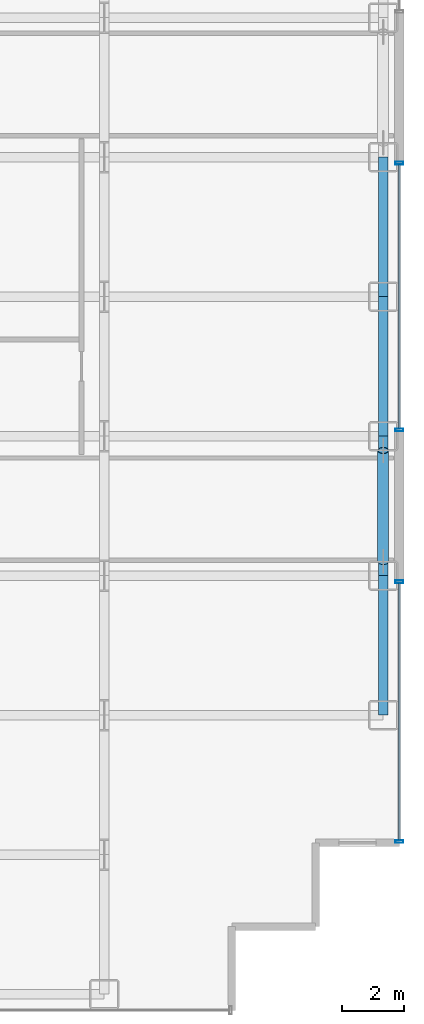
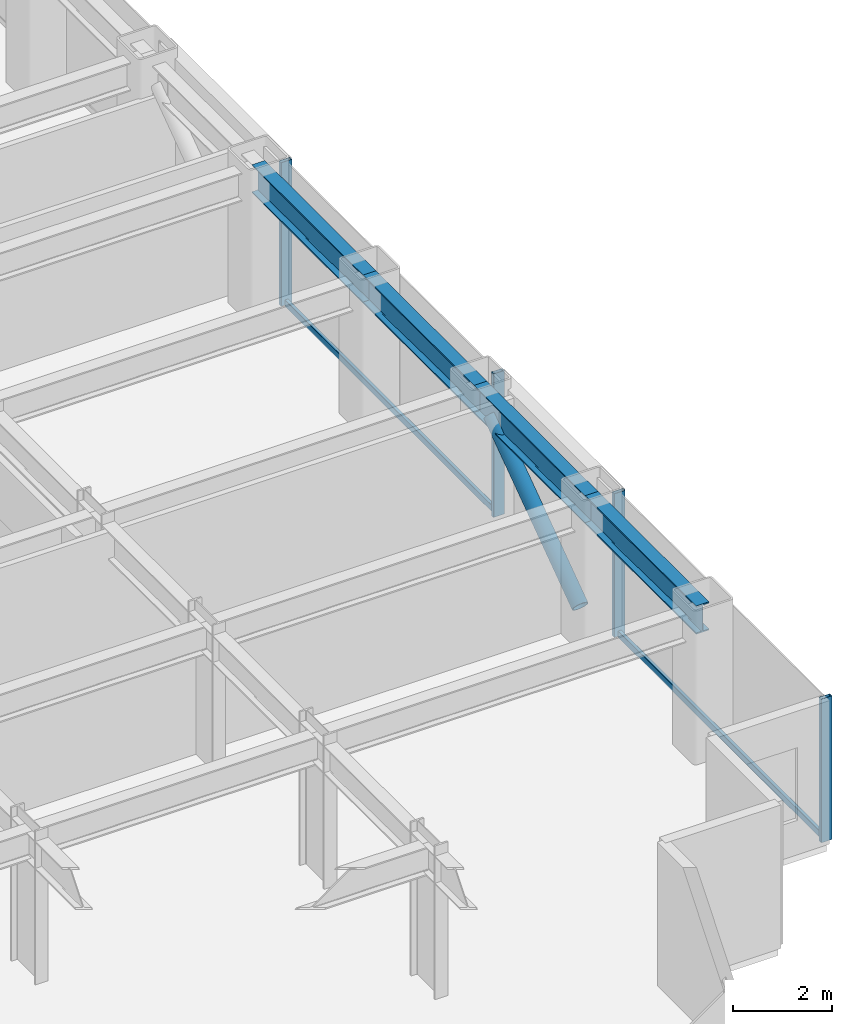
# One storey, part 18 of 29: 7 members, 4 beams, 2 elements without a shape of their own.
"""IFC4 building model written with IfcOpenShell, lengths in metres."""

from ifc_helpers import new_model, si_unit, direction, frame, origin, origin_2d, place, context, subcontext, project, spatial, hollow_rectangle, hollow_circle, i_section, extrude, source, transform, mapped, material, layer, layer_set, material_profile, profile_set, type_object, element, aggregate, save


model = new_model("IFC4")

# Units and contexts
model_context = context("Model", 3, precision=1e-05, world=origin(), true_north=direction((0.0, 1.0)))
body_context = subcontext(model_context, "Body", "Model", "MODEL_VIEW")
ifc_project = project(units=[si_unit("LENGTHUNIT", "METRE"), si_unit("AREAUNIT", "SQUARE_METRE"), si_unit("VOLUMEUNIT", "CUBIC_METRE"), si_unit("PLANEANGLEUNIT", "RADIAN"), si_unit("MASSUNIT", "GRAM", prefix="KILO")], contexts=[model_context])

# Site, building, storey
site_placement = place(None, origin())
site = spatial("IfcSite", under=ifc_project, at=site_placement, CompositionType="ELEMENT")
building_placement = place(site_placement, origin())
building = spatial("IfcBuilding", under=site, at=building_placement, Name="Nefas-Gora Pilgrimage Tower", CompositionType="ELEMENT")
storey_placement = place(building_placement, frame((0.0, 0.0, 55.800048828125)))
storey = spatial("IfcBuildingStorey", under=building, at=storey_placement, Name="L12", CompositionType="ELEMENT", Elevation=55.800048828125)

# Beams
ifc_material_1 = material(Name="Steel S355", Category="steel")
ifc_material_profile_1 = material_profile(ifc_material_1, i_section(OverallWidth=0.300048828125, OverallDepth=0.699951171875, WebThickness=0.01708984375, FlangeThickness=0.031982421875, FilletRadius=0.027099609375, at=origin_2d()), Name="HEB 700")
ifc_profile_set_1 = profile_set([ifc_material_profile_1], Name="Steel S355")
beam_type = type_object("IfcBeamType", Name="BM-SPN-HEB600", PredefinedType="SPANDREL", material=ifc_profile_set_1)
shared_shape_1 = source(origin(), body_context, "Body", "SweptSolid", [
    extrude(i_section(OverallWidth=0.300048828125, OverallDepth=0.699951171875, WebThickness=0.01708984375, FlangeThickness=0.031982421875, FilletRadius=0.027099609375, at=origin_2d()), origin(), (0.0, 0.0, 1.0), 4.5),
])
for number, where, z_axis, x_axis, name in (
    (1, (33.75, -13.5, 3.199951171875), (0.0, 1.0, 0.0), (-1.0, 0.0, 0.0), "L12 SP-01 beam"),
    (2, (33.75, -9.0, 3.199951171875), (0.0, 1.0, 0.0), (-1.0, 0.0, 0.0), "L12 SP-01 beam"),
    (3, (33.75, -4.5, 3.199951171875), (0.0, 1.0, 0.0), (-1.0, 0.0, 0.0), "L12 SP-01 beam"),
    (4, (33.75, 0.0, 3.199951171875), (0.0, 1.0, 0.0), (-1.0, 0.0, 0.0), "L12 SP-01 beam"),
):
    element("IfcBeam", number, at=place(storey_placement, frame(where, z_axis=z_axis, x_axis=x_axis)), inside=storey, type_object=beam_type, Name=name, PredefinedType="SPANDREL", context=body_context, shape_type="MappedRepresentation", body=[
        mapped(shared_shape_1, transform((0.0, 0.0, 0.0), x_axis=(1.0, 0.0, 0.0), y_axis=(0.0, 1.0, 0.0), z_axis=(0.0, 0.0, 1.0), scale=1.0)),
    ])

# Member
ifc_material_2 = material(Name="Steel S460", Category="steel")
ifc_material_profile_2 = material_profile(ifc_material_2, hollow_circle(Radius=0.177734375, WallThickness=0.02001953125, at=origin_2d()), Name="CHS 355.6x20")
ifc_profile_set_2 = profile_set([ifc_material_profile_2], Name="Steel S460")
member_type_1 = type_object("IfcMemberType", Name="MEM-TUBE-356", PredefinedType="BRACE", material=ifc_profile_set_2)
shared_shape_2 = source(origin(), body_context, "Body", "SweptSolid", [
    extrude(hollow_circle(Radius=0.177734375, WallThickness=0.02001953125, at=origin_2d()), origin(), (0.0, 0.0, 1.0), 4.39501953125),
])
member_1_placement = place(storey_placement, frame((33.75, -8.537109375, 0.481201171875), z_axis=(0.0, 0.813264026864, 0.581894855287), x_axis=(-1.0, 0.0, 0.0)))
element("IfcMember", 5, at=member_1_placement, inside=storey, type_object=member_type_1, Name="L12 Perimeter Tube Diagonal Brace E1", PredefinedType="BRACE", context=body_context, shape_type="MappedRepresentation", body=[
    mapped(shared_shape_2, transform((0.0, 0.0, 0.0), x_axis=(1.0, 0.0, 0.0), y_axis=(0.0, 1.0, 0.0), z_axis=(0.0, 0.0, 1.0), scale=1.0)),
])

# Curtain wall, members
ifc_material_3 = material(Name="Dark ceramic-fritted solar-control aluminium-glass curtain wall", Category="aluminium")
ifc_layer = layer(ifc_material_3, 0.219970703125)
ifc_layer_set = layer_set([ifc_layer], Name="Dark ceramic-fritted solar-control aluminium-glass curtain wall")
curtain_wall_type = type_object("IfcCurtainWallType", Name="CW-SYS-2", PredefinedType="NOTDEFINED", material=ifc_layer_set)
curtain_wall_1_placement = place(storey_placement, origin())
curtain_wall_1 = element("IfcCurtainWall", 6, at=curtain_wall_1_placement, inside=storey, type_object=curtain_wall_type, Name="L12 Unitised Curtain Wall CW2", PredefinedType="NOTDEFINED")
ifc_material_4 = material(Name="Anodised architectural aluminium", Category="aluminium")
ifc_material_profile_3 = material_profile(ifc_material_4, hollow_rectangle(XDim=0.090087890625, YDim=0.260009765625, WallThickness=0.006103515625, InnerFilletRadius=0.006103515625, OuterFilletRadius=0.011962890625, at=origin_2d()), Name="ALU MULLION 90x260")
ifc_profile_set_3 = profile_set([ifc_material_profile_3], Name="Anodised architectural aluminium")
member_type_2 = type_object("IfcMemberType", Name="CWM-MUL-2", PredefinedType="MULLION", material=ifc_profile_set_3)
shared_shape_3 = source(origin(), body_context, "Body", "SweptSolid", [
    extrude(hollow_rectangle(XDim=0.090087890625, YDim=0.260009765625, WallThickness=0.006103515625, InnerFilletRadius=0.006103515625, OuterFilletRadius=0.011962890625, at=origin_2d()), origin(), (0.0, 0.0, 1.0), 3.550048828125),
])
member_2_placement = place(storey_placement, frame((34.27001953125, -17.574951171875, 0.0), z_axis=(0.0, 0.0, 1.0), x_axis=(0.0, 1.0, 0.0)))
member_2 = element("IfcMember", 7, at=member_2_placement, type_object=member_type_2, Name="CW2 Mullion 1", PredefinedType="MULLION", context=body_context, shape_type="MappedRepresentation", body=[
    mapped(shared_shape_3, transform((0.0, 0.0, 0.0), x_axis=(1.0, 0.0, 0.0), y_axis=(0.0, 1.0, 0.0), z_axis=(0.0, 0.0, 1.0), scale=1.0)),
])
member_3_placement = place(storey_placement, frame((34.27001953125, -9.195068359375, 0.0), z_axis=(0.0, 0.0, 1.0), x_axis=(0.0, 1.0, 0.0)))
member_3 = element("IfcMember", 8, at=member_3_placement, type_object=member_type_2, Name="CW2 Mullion 2", PredefinedType="MULLION", context=body_context, shape_type="MappedRepresentation", body=[
    mapped(shared_shape_3, transform((0.0, 0.0, 0.0), x_axis=(1.0, 0.0, 0.0), y_axis=(0.0, 1.0, 0.0), z_axis=(0.0, 0.0, 1.0), scale=1.0)),
])

curtain_wall_2_placement = place(storey_placement, origin())
curtain_wall_2 = element("IfcCurtainWall", 9, at=curtain_wall_2_placement, inside=storey, type_object=curtain_wall_type, Name="L12 Unitised Curtain Wall CW2", PredefinedType="NOTDEFINED")
member_4_placement = place(storey_placement, frame((34.27001953125, -4.304931640625, 0.0), z_axis=(0.0, 0.0, 1.0), x_axis=(0.0, 1.0, 0.0)))
member_4 = element("IfcMember", 10, at=member_4_placement, type_object=member_type_2, Name="CW2 Mullion 1", PredefinedType="MULLION", context=body_context, shape_type="MappedRepresentation", body=[
    mapped(shared_shape_3, transform((0.0, 0.0, 0.0), x_axis=(1.0, 0.0, 0.0), y_axis=(0.0, 1.0, 0.0), z_axis=(0.0, 0.0, 1.0), scale=1.0)),
])
member_5_placement = place(storey_placement, frame((34.27001953125, 4.304931640625, 0.0), z_axis=(0.0, 0.0, 1.0), x_axis=(0.0, 1.0, 0.0)))
member_5 = element("IfcMember", 11, at=member_5_placement, type_object=member_type_2, Name="CW2 Mullion 2", PredefinedType="MULLION", context=body_context, shape_type="MappedRepresentation", body=[
    mapped(shared_shape_3, transform((0.0, 0.0, 0.0), x_axis=(1.0, 0.0, 0.0), y_axis=(0.0, 1.0, 0.0), z_axis=(0.0, 0.0, 1.0), scale=1.0)),
])

# Member
ifc_material_profile_4 = material_profile(ifc_material_4, hollow_rectangle(XDim=0.080078125, YDim=0.159912109375, WallThickness=0.00439453125, InnerFilletRadius=0.00439453125, OuterFilletRadius=0.009033203125, at=origin_2d()), Name="ALU TRANSOM 80x160")
ifc_profile_set_4 = profile_set([ifc_material_profile_4], Name="Anodised architectural aluminium")
member_type_3 = type_object("IfcMemberType", Name="CWM-TRN-2", PredefinedType="USERDEFINED", material=ifc_profile_set_4)
shared_shape_4 = source(origin(), body_context, "Body", "SweptSolid", [
    extrude(hollow_rectangle(XDim=0.080078125, YDim=0.159912109375, WallThickness=0.00439453125, InnerFilletRadius=0.00439453125, OuterFilletRadius=0.009033203125, at=origin_2d()), origin(), (0.0, 0.0, 1.0), 8.2900390625),
])
member_6_placement = place(storey_placement, frame((34.27001953125, -17.530029296875, 0.050048828125), z_axis=(0.0, 1.0, 0.0), x_axis=(-1.0, 0.0, 0.0)))
member_6 = element("IfcMember", 12, at=member_6_placement, type_object=member_type_3, Name="CW2 Spandrel Transom", ObjectType="TRANSOM", PredefinedType="USERDEFINED", context=body_context, shape_type="MappedRepresentation", body=[
    mapped(shared_shape_4, transform((0.0, 0.0, 0.0), x_axis=(1.0, 0.0, 0.0), y_axis=(0.0, 1.0, 0.0), z_axis=(0.0, 0.0, 1.0), scale=1.0)),
])

aggregate(curtain_wall_1, [member_2, member_3, member_6])

shared_shape_5 = source(origin(), body_context, "Body", "SweptSolid", [
    extrude(hollow_rectangle(XDim=0.080078125, YDim=0.159912109375, WallThickness=0.00439453125, InnerFilletRadius=0.00439453125, OuterFilletRadius=0.009033203125, at=origin_2d()), origin(), (0.0, 0.0, 1.0), 8.52001953125),
])
member_7_placement = place(storey_placement, frame((34.27001953125, -4.260009765625, 0.050048828125), z_axis=(0.0, 1.0, 0.0), x_axis=(-1.0, 0.0, 0.0)))
member_7 = element("IfcMember", 13, at=member_7_placement, type_object=member_type_3, Name="CW2 Spandrel Transom", ObjectType="TRANSOM", PredefinedType="USERDEFINED", context=body_context, shape_type="MappedRepresentation", body=[
    mapped(shared_shape_5, transform((0.0, 0.0, 0.0), x_axis=(1.0, 0.0, 0.0), y_axis=(0.0, 1.0, 0.0), z_axis=(0.0, 0.0, 1.0), scale=1.0)),
])

aggregate(curtain_wall_2, [member_4, member_5, member_7])

save(model, "model.ifc")
